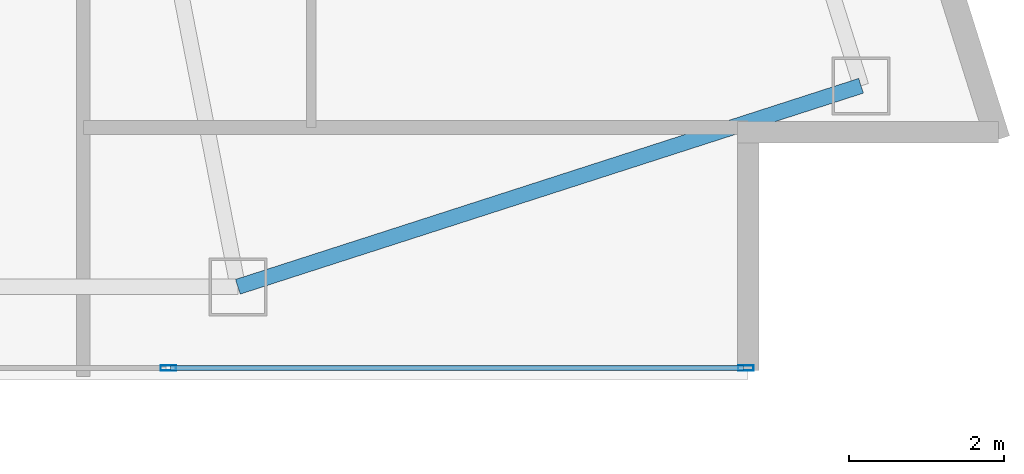
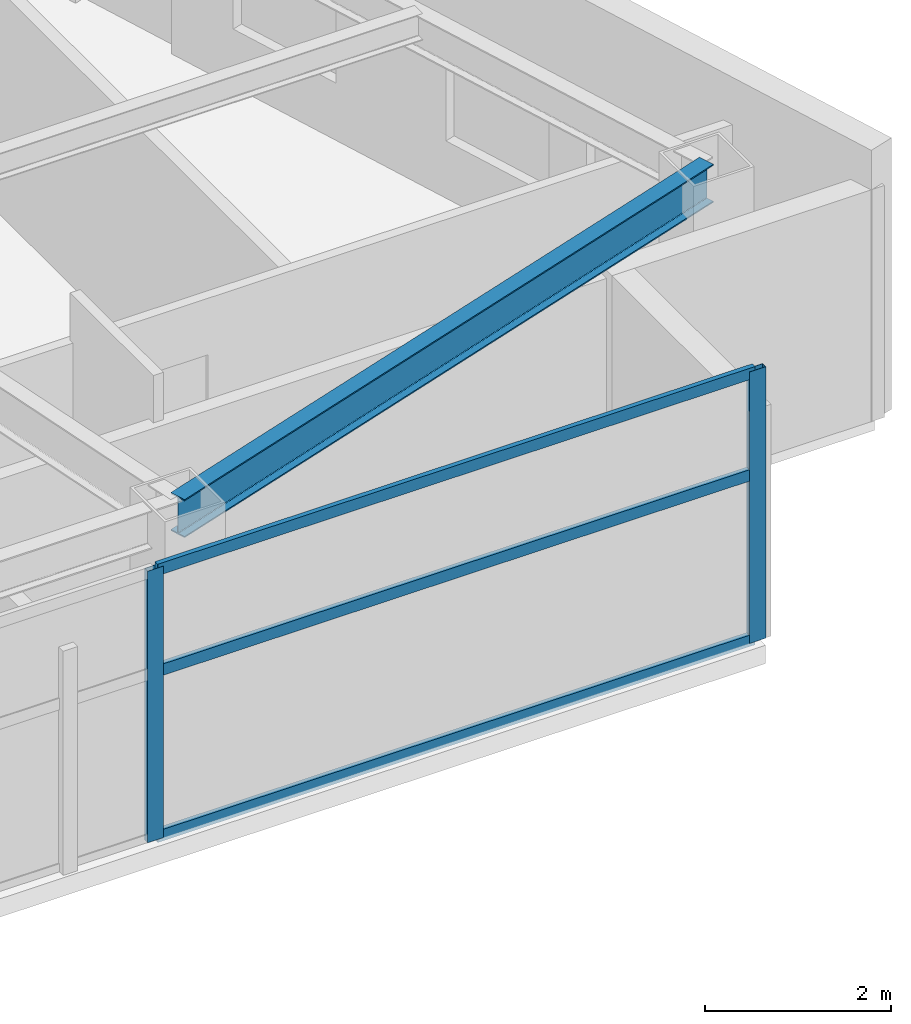
# One storey, part 14 of 29: 5 members, 1 beam, 1 element without a shape of its own.
"""IFC4 building model written with IfcOpenShell, lengths in metres."""

from ifc_helpers import new_model, si_unit, direction, frame, origin, origin_2d, place, context, subcontext, project, spatial, hollow_rectangle, i_section, extrude, material, layer, layer_set, material_profile, profile_set, type_object, element, aggregate, save


model = new_model("IFC4")

# Units and contexts
model_context = context("Model", 3, precision=1e-05, world=origin(), true_north=direction((0.0, 1.0)))
body_context = subcontext(model_context, "Body", "Model", "MODEL_VIEW")
ifc_project = project(units=[si_unit("LENGTHUNIT", "METRE"), si_unit("AREAUNIT", "SQUARE_METRE"), si_unit("VOLUMEUNIT", "CUBIC_METRE"), si_unit("PLANEANGLEUNIT", "RADIAN"), si_unit("MASSUNIT", "GRAM", prefix="KILO")], contexts=[model_context])

# Site, building, storey
site_placement = place(None, origin())
site = spatial("IfcSite", under=ifc_project, at=site_placement, CompositionType="ELEMENT")
building_placement = place(site_placement, origin())
building = spatial("IfcBuilding", under=site, at=building_placement, Name="Calvorn Quay Hotel", CompositionType="ELEMENT")
storey_placement = place(building_placement, frame((0.0, 0.0, 175.10009765625)))
storey = spatial("IfcBuildingStorey", under=building, at=storey_placement, Name="L43", CompositionType="ELEMENT", Elevation=175.10009765625)

# Beam
ifc_material_1 = material(Name="Steel Q355B", Category="steel")
ifc_material_profile_1 = material_profile(ifc_material_1, i_section(OverallWidth=0.199951171875, OverallDepth=0.5, WebThickness=0.010009765625, FlangeThickness=0.01611328125, FilletRadius=0.01611328125, at=origin_2d()), Name="HN500x200x10x16")
ifc_profile_set_1 = profile_set([ifc_material_profile_1], Name="Steel Q355B")
beam_type = type_object("IfcBeamType", Name="BM-SPANDREL-Z1", PredefinedType="SPANDREL", material=ifc_profile_set_1)
beam_placement = place(storey_placement, frame((49.39990234375, 3.60009765625, 3.289794921875), z_axis=(0.951725188386, 0.306951406237, 0.0), x_axis=(-0.306951406237, 0.951725188386, 0.0)))
element("IfcBeam", 1, at=beam_placement, inside=storey, type_object=beam_type, Name="Beam BSP-L43-S6", PredefinedType="SPANDREL", context=body_context, shape_type="SweptSolid", body=[
    extrude(i_section(OverallWidth=0.199951171875, OverallDepth=0.5, WebThickness=0.010009765625, FlangeThickness=0.01611328125, FilletRadius=0.01611328125, at=origin_2d()), origin(), (0.0, 0.0, 1.0), 8.469970703125),
])

# Curtain wall, members
ifc_material_2 = material(Name="Pale Anodised Aluminium and Low-E Glass", Category="aluminium")
ifc_layer = layer(ifc_material_2, 0.219970703125)
ifc_layer_set = layer_set([ifc_layer], Name="CW-SYS-Z2")
curtain_wall_type = type_object("IfcCurtainWallType", Name="CW-SYS-Z2", PredefinedType="NOTDEFINED", material=ifc_layer_set)
curtain_wall_placement = place(storey_placement, origin())
curtain_wall = element("IfcCurtainWall", 2, at=curtain_wall_placement, inside=storey, type_object=curtain_wall_type, Name="Tower South Waterfront Curtain Wall (L43)", PredefinedType="NOTDEFINED")
ifc_material_3 = material(Name="Pale Anodised Aluminium 6063-T6", Category="aluminium")
ifc_material_profile_2 = material_profile(ifc_material_3, hollow_rectangle(XDim=0.070068359375, YDim=0.199951171875, WallThickness=0.00390625, at=origin_2d()), Name="ALU-M200x70x4")
ifc_profile_set_2 = profile_set([ifc_material_profile_2], Name="Pale Anodised Aluminium 6063-T6")
member_type_1 = type_object("IfcMemberType", Name="CW-SYS-Z2-MUL", PredefinedType="MULLION", material=ifc_profile_set_2)
member_1_placement = place(storey_placement, frame((48.5, 2.550048828125, 0.0), z_axis=(0.0, 0.0, 1.0), x_axis=(0.0, 1.0, 0.0)))
member_1 = element("IfcMember", 3, at=member_1_placement, type_object=member_type_1, Name="CW-L43-S mullion 6", PredefinedType="MULLION", context=body_context, shape_type="SweptSolid", body=[
    extrude(hollow_rectangle(XDim=0.070068359375, YDim=0.199951171875, WallThickness=0.00390625, at=origin_2d()), origin(), (0.0, 0.0, 1.0), 3.559814453125),
])
member_2_placement = place(storey_placement, frame((55.969970703125, 2.550048828125, 0.0), z_axis=(0.0, 0.0, 1.0), x_axis=(0.0, 1.0, 0.0)))
member_2 = element("IfcMember", 4, at=member_2_placement, type_object=member_type_1, Name="CW-L43-S mullion 7", PredefinedType="MULLION", context=body_context, shape_type="SweptSolid", body=[
    extrude(hollow_rectangle(XDim=0.070068359375, YDim=0.199951171875, WallThickness=0.00390625, at=origin_2d()), origin(), (0.0, 0.0, 1.0), 3.559814453125),
])
ifc_material_4 = material(Name="Pale Anodised Aluminium 6063-T6", Category="aluminium")
ifc_material_profile_3 = material_profile(ifc_material_4, hollow_rectangle(XDim=0.06005859375, YDim=0.14990234375, WallThickness=0.00341796875, at=origin_2d()), Name="ALU-T150x60x3.5")
ifc_profile_set_3 = profile_set([ifc_material_profile_3], Name="Pale Anodised Aluminium 6063-T6")
member_type_2 = type_object("IfcMemberType", Name="CW-SYS-Z2-TRN", PredefinedType="USERDEFINED", material=ifc_profile_set_3)
member_3_placement = place(storey_placement, frame((48.530029296875, 2.550048828125, 0.02978515625), z_axis=(1.0, 0.0, 0.0), x_axis=(0.0, 1.0, 0.0)))
member_3 = element("IfcMember", 5, at=member_3_placement, type_object=member_type_2, Name="CW-L43-S transom 6.1", ObjectType="TRANSOM", PredefinedType="USERDEFINED", context=body_context, shape_type="SweptSolid", body=[
    extrude(hollow_rectangle(XDim=0.06005859375, YDim=0.14990234375, WallThickness=0.00341796875, at=origin_2d()), origin(), (0.0, 0.0, 1.0), 7.409912109375),
])
member_4_placement = place(storey_placement, frame((48.530029296875, 2.550048828125, 2.199951171875), z_axis=(1.0, 0.0, 0.0), x_axis=(0.0, 1.0, 0.0)))
member_4 = element("IfcMember", 6, at=member_4_placement, type_object=member_type_2, Name="CW-L43-S transom 6.2", ObjectType="TRANSOM", PredefinedType="USERDEFINED", context=body_context, shape_type="SweptSolid", body=[
    extrude(hollow_rectangle(XDim=0.06005859375, YDim=0.14990234375, WallThickness=0.00341796875, at=origin_2d()), origin(), (0.0, 0.0, 1.0), 7.409912109375),
])
member_5_placement = place(storey_placement, frame((48.530029296875, 2.550048828125, 3.52978515625), z_axis=(1.0, 0.0, 0.0), x_axis=(0.0, 1.0, 0.0)))
member_5 = element("IfcMember", 7, at=member_5_placement, type_object=member_type_2, Name="CW-L43-S transom 6.3", ObjectType="TRANSOM", PredefinedType="USERDEFINED", context=body_context, shape_type="SweptSolid", body=[
    extrude(hollow_rectangle(XDim=0.06005859375, YDim=0.14990234375, WallThickness=0.00341796875, at=origin_2d()), origin(), (0.0, 0.0, 1.0), 7.409912109375),
])
aggregate(curtain_wall, [member_1, member_2, member_3, member_4, member_5])

save(model, "model.ifc")
